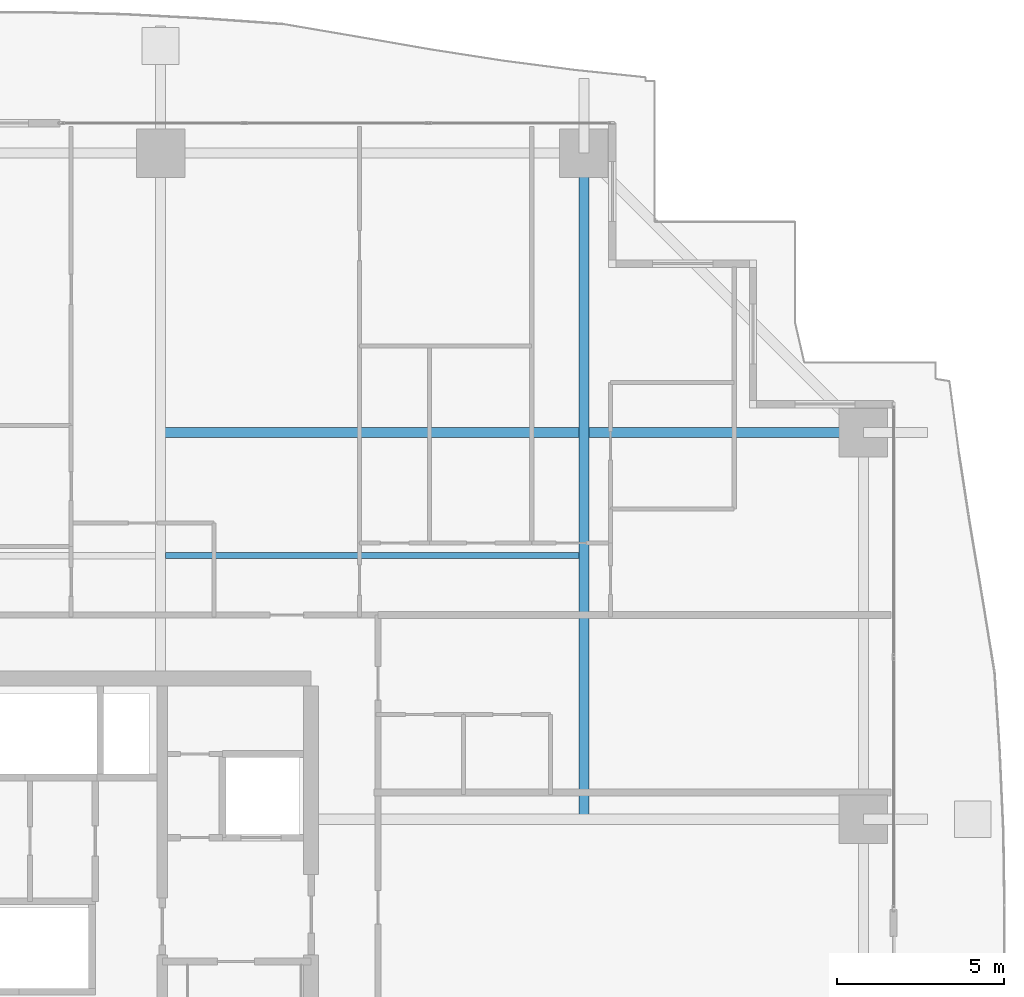
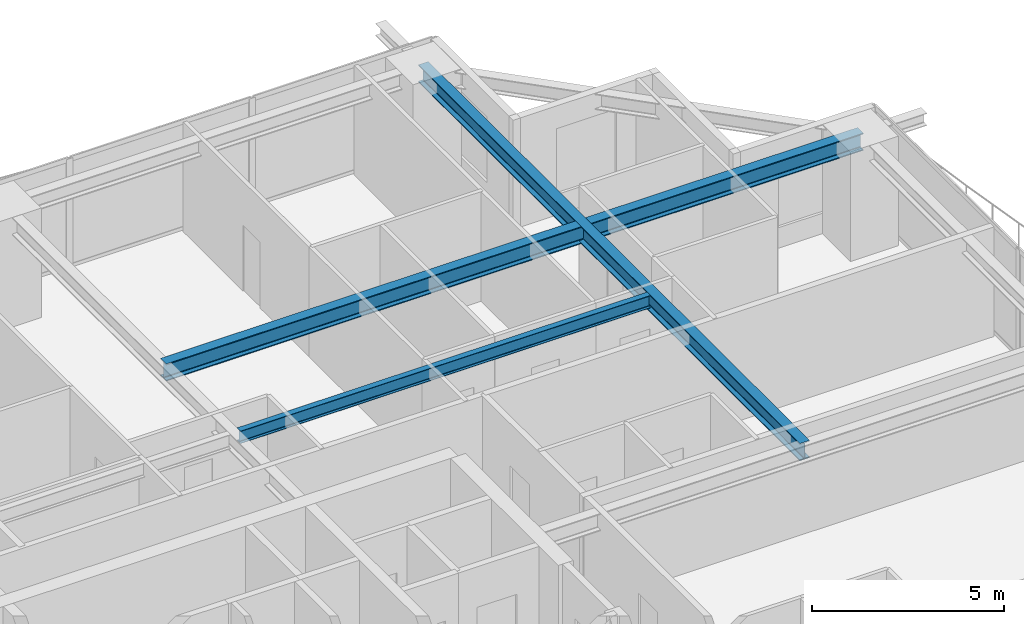
# One storey, part 22 of 38: 3 beams.
"""IFC4 building model written with IfcOpenShell, lengths in metres."""

from ifc_helpers import new_model, si_unit, direction, frame, origin, origin_2d, place, context, subcontext, project, spatial, i_section, extrude, source, transform, mapped, material, material_profile, profile_set, type_object, element, save


model = new_model("IFC4")

# Units and contexts
model_context = context("Model", 3, precision=1e-05, world=origin(), true_north=direction((0.0, 1.0)))
body_context = subcontext(model_context, "Body", "Model", "MODEL_VIEW")
ifc_project = project(units=[si_unit("LENGTHUNIT", "METRE"), si_unit("AREAUNIT", "SQUARE_METRE"), si_unit("VOLUMEUNIT", "CUBIC_METRE"), si_unit("PLANEANGLEUNIT", "RADIAN"), si_unit("MASSUNIT", "GRAM", prefix="KILO")], contexts=[model_context])

# Site, building, storey
site_placement = place(None, origin())
site = spatial("IfcSite", under=ifc_project, at=site_placement, CompositionType="ELEMENT")
building_placement = place(site_placement, origin())
building = spatial("IfcBuilding", under=site, at=building_placement, Name="Serunith Strait Residences", CompositionType="ELEMENT")
storey_placement = place(building_placement, frame((0.0, 0.0, 82.949951171875)))
storey = spatial("IfcBuildingStorey", under=building, at=storey_placement, Name="L20", CompositionType="ELEMENT", Elevation=82.949951171875)

# Beams
ifc_material = material(Name="Steel S355J2", Category="steel")
ifc_material_profile_1 = material_profile(ifc_material, i_section(OverallWidth=0.300048828125, OverallDepth=0.550048828125, WebThickness=0.014892578125, FlangeThickness=0.029052734375, FilletRadius=0.027099609375, at=origin_2d()), Name="HEB 550")
ifc_profile_set_1 = profile_set([ifc_material_profile_1], Name="Steel S355J2")
beam_type_1 = type_object("IfcBeamType", Name="BM-HEB550", PredefinedType="BEAM", material=ifc_profile_set_1)
shared_shape_1 = source(origin(), body_context, "Body", "SweptSolid", [
    extrude(i_section(OverallWidth=0.300048828125, OverallDepth=0.550048828125, WebThickness=0.014892578125, FlangeThickness=0.029052734375, FilletRadius=0.027099609375, at=origin_2d()), origin(), (0.0, 0.0, 1.0), 19.900146484375),
])
beam_1_placement = place(storey_placement, frame((49.550048828125, 29.39990234375, 3.212158203125), z_axis=(0.0, 1.0, 0.0), x_axis=(-1.0, 0.0, 0.0)))
element("IfcBeam", 1, at=beam_1_placement, inside=storey, type_object=beam_type_1, Name="L20 Orthogonal Corner Girder TC-N4", PredefinedType="BEAM", context=body_context, shape_type="MappedRepresentation", body=[
    mapped(shared_shape_1, transform((0.0, 0.0, 0.0), scale=1.0)),
])
shared_shape_2 = source(origin(), body_context, "Body", "SweptSolid", [
    extrude(i_section(OverallWidth=0.300048828125, OverallDepth=0.550048828125, WebThickness=0.014892578125, FlangeThickness=0.029052734375, FilletRadius=0.027099609375, at=origin_2d()), origin(), (0.0, 0.0, 1.0), 21.0),
])
beam_2_placement = place(storey_placement, frame((36.89990234375, 40.949951171875, 3.212158203125), z_axis=(1.0, 0.0, 0.0), x_axis=(0.0, 1.0, 0.0)))
element("IfcBeam", 2, at=beam_2_placement, inside=storey, type_object=beam_type_1, Name="L20 Orthogonal Corner Girder TC-E4", PredefinedType="BEAM", context=body_context, shape_type="MappedRepresentation", body=[
    mapped(shared_shape_2, transform((0.0, 0.0, 0.0), scale=1.0)),
])
ifc_material_profile_2 = material_profile(ifc_material, i_section(OverallWidth=0.179931640625, OverallDepth=0.39990234375, WebThickness=0.008544921875, FlangeThickness=0.013427734375, FilletRadius=0.02099609375, at=origin_2d()), Name="IPE 400")
ifc_profile_set_2 = profile_set([ifc_material_profile_2], Name="Steel S355J2")
beam_type_2 = type_object("IfcBeamType", Name="BM-IPE400", PredefinedType="JOIST", material=ifc_profile_set_2)
shared_shape_3 = source(origin(), body_context, "Body", "SweptSolid", [
    extrude(i_section(OverallWidth=0.179931640625, OverallDepth=0.39990234375, WebThickness=0.008544921875, FlangeThickness=0.013427734375, FilletRadius=0.02099609375, at=origin_2d()), origin(), (0.0, 0.0, 1.0), 12.349853515625),
])
beam_3_placement = place(storey_placement, frame((37.050048828125, 37.27490234375, 3.287109375), z_axis=(1.0, 0.0, 0.0), x_axis=(0.0, 1.0, 0.0)))
element("IfcBeam", 3, at=beam_3_placement, inside=storey, type_object=beam_type_2, Name="L20 Composite Floor Joist 06", PredefinedType="JOIST", context=body_context, shape_type="MappedRepresentation", body=[
    mapped(shared_shape_3, transform((0.0, 0.0, 0.0), scale=1.0)),
])

save(model, "model.ifc")
